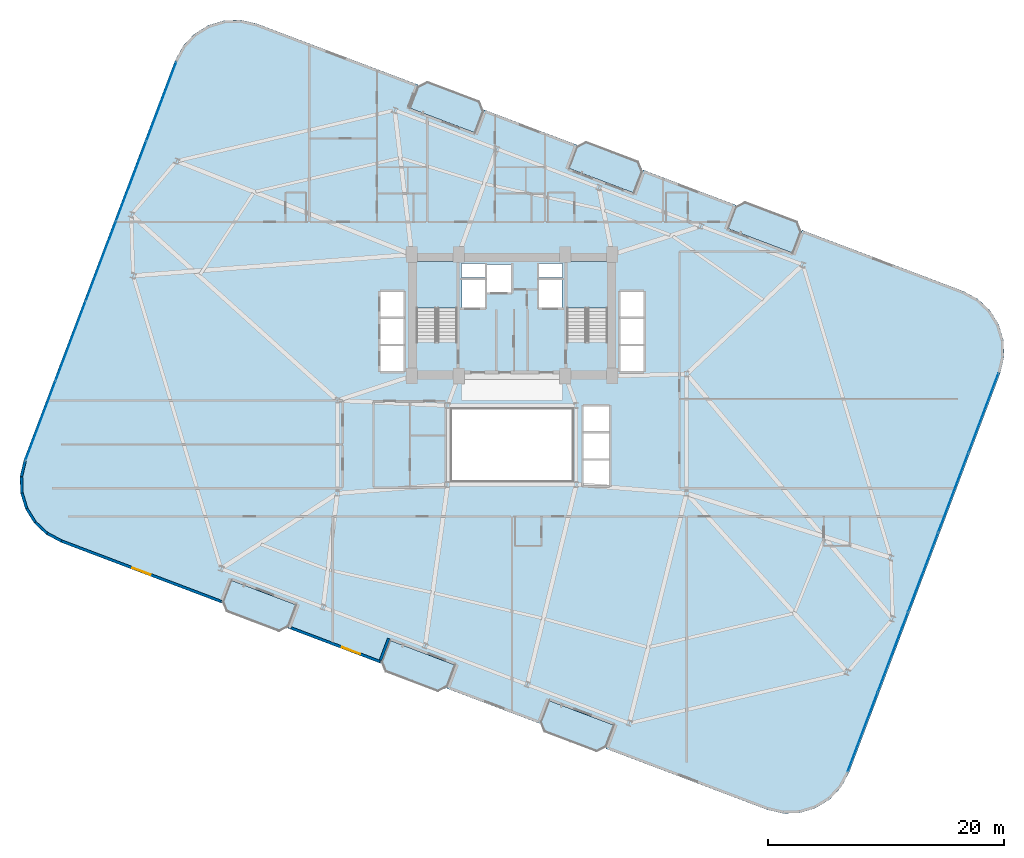
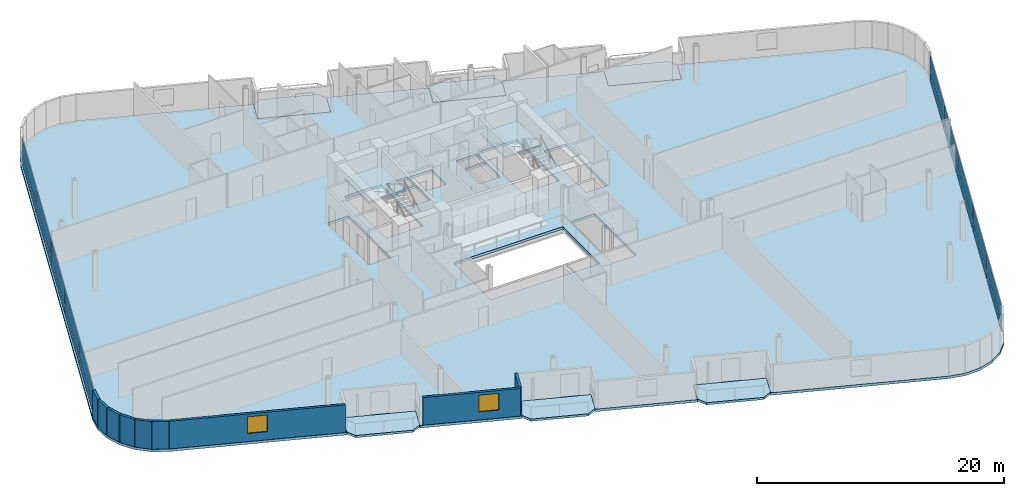
# One storey, part 16 of 24: 20 plates, 9 slabs, 9 walls, 2 windows, 2 openings, 4 elements without a shape of their own.
"""IFC4 building model written with IfcOpenShell, lengths in metres."""

from ifc_helpers import new_model, si_unit, direction, frame, frame_2d, origin, origin_2d, place, context, subcontext, project, spatial, polyline, rectangle, outline, extrude, source, transform, mapped, material, layer, layer_set, type_object, element, fill, aggregate, save


model = new_model("IFC4")

# Units and contexts
model_context = context("Model", 3, precision=1e-05, world=origin(), true_north=direction((0.0, 1.0)))
body_context = subcontext(model_context, "Body", "Model", "MODEL_VIEW")
ifc_project = project(units=[si_unit("LENGTHUNIT", "METRE"), si_unit("AREAUNIT", "SQUARE_METRE"), si_unit("VOLUMEUNIT", "CUBIC_METRE"), si_unit("PLANEANGLEUNIT", "RADIAN"), si_unit("MASSUNIT", "GRAM", prefix="KILO")], contexts=[model_context])

# Site, building, storey
site_placement = place(None, origin())
site = spatial("IfcSite", under=ifc_project, at=site_placement, CompositionType="ELEMENT")
building_placement = place(site_placement, origin())
building = spatial("IfcBuilding", under=site, at=building_placement, Name="Varnelok Gate Tower", CompositionType="ELEMENT")
storey_placement = place(building_placement, frame((0.0, 0.0, 102.10009765625)))
storey = spatial("IfcBuildingStorey", under=building, at=storey_placement, Name="L25", CompositionType="ELEMENT", Elevation=102.10009765625)

# Slabs
ifc_material_1 = material(Name="Concrete C45/55", Category="concrete")
ifc_layer_1 = layer(ifc_material_1, 0.219970703125)
ifc_layer_set_1 = layer_set([ifc_layer_1], Name="Concrete C45/55")
slab_type_1 = type_object("IfcSlabType", Name="SLB-BALC-220", PredefinedType="FLOOR", material=ifc_layer_set_1)
slab_1_placement = place(storey_placement, frame((0.0, 0.0, -0.22021484375)))
element("IfcSlab", 1, at=slab_1_placement, inside=storey, type_object=slab_type_1, Name="L25 South Hollow Balcony 1", PredefinedType="FLOOR", context=body_context, shape_type="SweptSolid", body=[
    extrude(outline(polyline([(14.64208984375, 9.576416015625), (15.019775390625, 8.738525390625), (19.415283203125, 7.074462890625), (20.25341796875, 7.4521484375), (20.96142578125, 9.322509765625), (15.35009765625, 11.447021484375), (14.64208984375, 9.576416015625)])), origin(), (0.0, 0.0, 1.0), 0.22021484375),
])
slab_2_placement = place(storey_placement, frame((0.0, 0.0, -0.22021484375)))
element("IfcSlab", 2, at=slab_2_placement, inside=storey, type_object=slab_type_1, Name="L25 South Hollow Balcony 2", PredefinedType="FLOOR", context=body_context, shape_type="SweptSolid", body=[
    extrude(outline(polyline([(28.109375, 4.47802734375), (28.487060546875, 3.639892578125), (32.882568359375, 1.975830078125), (33.720703125, 2.353515625), (34.4287109375, 4.22412109375), (28.8173828125, 6.348388671875), (28.109375, 4.47802734375)])), origin(), (0.0, 0.0, 1.0), 0.22021484375),
])
slab_3_placement = place(storey_placement, frame((0.0, 0.0, -0.22021484375)))
element("IfcSlab", 3, at=slab_3_placement, inside=storey, type_object=slab_type_1, Name="L25 South Hollow Balcony 3", PredefinedType="FLOOR", context=body_context, shape_type="SweptSolid", body=[
    extrude(outline(polyline([(41.576416015625, -0.62060546875), (41.9541015625, -1.45849609375), (46.349853515625, -3.12255859375), (47.187744140625, -2.744873046875), (47.89599609375, -0.87451171875), (42.28466796875, 1.25), (41.576416015625, -0.62060546875)])), origin(), (0.0, 0.0, 1.0), 0.22021484375),
])
slab_4_placement = place(storey_placement, frame((0.0, 0.0, -0.22021484375)))
element("IfcSlab", 4, at=slab_4_placement, inside=storey, type_object=slab_type_1, Name="L25 North Hollow Balcony 1", PredefinedType="FLOOR", context=body_context, shape_type="SweptSolid", body=[
    extrude(outline(polyline([(30.504150390625, 51.474365234375), (36.115478515625, 49.35009765625), (36.823486328125, 51.220458984375), (36.44580078125, 52.05859375), (32.05029296875, 53.72265625), (31.212158203125, 53.344970703125), (30.504150390625, 51.474365234375)])), origin(), (0.0, 0.0, 1.0), 0.22021484375),
])
slab_5_placement = place(storey_placement, frame((0.0, 0.0, -0.22021484375)))
element("IfcSlab", 5, at=slab_5_placement, inside=storey, type_object=slab_type_1, Name="L25 North Hollow Balcony 2", PredefinedType="FLOOR", context=body_context, shape_type="SweptSolid", body=[
    extrude(outline(polyline([(43.97119140625, 46.3759765625), (49.58251953125, 44.251708984375), (50.290771484375, 46.1220703125), (49.9130859375, 46.9599609375), (45.517333984375, 48.6240234375), (44.679443359375, 48.246337890625), (43.97119140625, 46.3759765625)])), origin(), (0.0, 0.0, 1.0), 0.22021484375),
])
slab_6_placement = place(storey_placement, frame((0.0, 0.0, -0.22021484375)))
element("IfcSlab", 6, at=slab_6_placement, inside=storey, type_object=slab_type_1, Name="L25 North Hollow Balcony 3", PredefinedType="FLOOR", context=body_context, shape_type="SweptSolid", body=[
    extrude(outline(polyline([(57.4384765625, 41.27734375), (63.0498046875, 39.153076171875), (63.7578125, 41.0234375), (63.380126953125, 41.861572265625), (58.984619140625, 43.525634765625), (58.146484375, 43.14794921875), (57.4384765625, 41.27734375)])), origin(), (0.0, 0.0, 1.0), 0.22021484375),
])

# Stair, slab
ifc_material_2 = material(Name="Concrete C50/60", Category="concrete")
stair_type = type_object("IfcStairType", Name="STR-CORE-1650", PredefinedType="HALF_TURN_STAIR", material=ifc_material_2)
stair_1_placement = place(storey_placement, origin())
stair_1 = element("IfcStair", 7, at=stair_1_placement, inside=storey, type_object=stair_type, Name="L25 Exit Stair ST-1", PredefinedType="HALF_TURN_STAIR")
ifc_layer_2 = layer(ifc_material_1, 0.199951171875)
ifc_layer_set_2 = layer_set([ifc_layer_2], Name="Concrete C45/55")
slab_type_2 = type_object("IfcSlabType", Name="SLB-LAND-200", PredefinedType="LANDING", material=ifc_layer_set_2)
slab_7_placement = place(storey_placement, frame((0.0, 0.0, 1.64990234375)))
slab_7 = element("IfcSlab", 8, at=slab_7_placement, type_object=slab_type_2, Name="ST-1 landing 1", PredefinedType="LANDING", context=body_context, shape_type="SweptSolid", body=[
    extrude(outline(polyline([(34.550048828125, 34.5), (34.550048828125, 38.449951171875), (31.10009765625, 38.449951171875), (31.10009765625, 34.5), (34.550048828125, 34.5)])), origin(), (0.0, 0.0, 1.0), 0.199951171875),
])
aggregate(stair_1, [slab_7])

stair_2_placement = place(storey_placement, origin())
stair_2 = element("IfcStair", 9, at=stair_2_placement, inside=storey, type_object=stair_type, Name="L25 Exit Stair ST-2", PredefinedType="HALF_TURN_STAIR")
slab_8_placement = place(storey_placement, frame((0.0, 0.0, 1.64990234375)))
slab_8 = element("IfcSlab", 10, at=slab_8_placement, type_object=slab_type_2, Name="ST-2 landing 1", PredefinedType="LANDING", context=body_context, shape_type="SweptSolid", body=[
    extrude(outline(polyline([(47.300048828125, 34.5), (47.300048828125, 38.449951171875), (43.85009765625, 38.449951171875), (43.85009765625, 34.5), (47.300048828125, 34.5)])), origin(), (0.0, 0.0, 1.0), 0.199951171875),
])
aggregate(stair_2, [slab_8])

# Slab
ifc_layer_3 = layer(ifc_material_2, 0.25)
ifc_layer_set_3 = layer_set([ifc_layer_3], Name="Concrete C50/60")
slab_type_3 = type_object("IfcSlabType", Name="SLB-TYP-250", PredefinedType="FLOOR", material=ifc_layer_set_3)
slab_9_placement = place(storey_placement, frame((0.0, 0.0, -0.25)))
element("IfcSlab", 11, at=slab_9_placement, inside=storey, type_object=slab_type_3, Name="L25 Structural Floor Slab", PredefinedType="FLOOR", context=body_context, shape_type="SweptSolid", body=[
    extrude(outline(polyline([(-2.185791015625, 21.614501953125), (-2.508544921875, 20.2421875), (-2.465087890625, 18.833251953125), (-2.05859375, 17.4833984375), (-1.31640625, 16.284912109375), (-0.28955078125, 15.319091796875), (0.952392578125, 14.65234375), (12.05029296875, 10.45068359375), (14.606689453125, 9.48291015625), (15.35009765625, 11.447021484375), (20.96142578125, 9.322509765625), (20.218017578125, 7.358642578125), (28.073974609375, 4.384521484375), (28.8173828125, 6.348388671875), (34.4287109375, 4.22412109375), (33.685302734375, 2.260009765625), (41.541015625, -0.714111328125), (42.28466796875, 1.25), (47.89599609375, -0.87451171875), (47.15234375, -2.83837890625), (49.708740234375, -3.80615234375), (60.806640625, -8.0078125), (62.1787109375, -8.33056640625), (63.587890625, -8.287109375), (64.937744140625, -7.880615234375), (66.13623046875, -7.138427734375), (67.101806640625, -6.111328125), (67.768798828125, -4.869384765625), (80.585693359375, 28.985595703125), (80.90869140625, 30.35791015625), (80.865234375, 31.766845703125), (80.45849609375, 33.11669921875), (79.716552734375, 34.315185546875), (78.689453125, 35.28076171875), (77.447509765625, 35.94775390625), (66.349609375, 40.1494140625), (63.793212890625, 41.116943359375), (63.0498046875, 39.153076171875), (57.4384765625, 41.27734375), (58.181884765625, 43.241455078125), (50.326171875, 46.215576171875), (49.58251953125, 44.251708984375), (43.97119140625, 46.3759765625), (44.71484375, 48.33984375), (36.85888671875, 51.31396484375), (36.115478515625, 49.35009765625), (30.504150390625, 51.474365234375), (31.24755859375, 53.4384765625), (28.69140625, 54.40625), (17.593505859375, 58.607666015625), (16.22119140625, 58.930419921875), (14.81201171875, 58.886962890625), (13.46240234375, 58.48046875), (12.263916015625, 57.73828125), (11.298095703125, 56.71142578125), (10.631103515625, 55.469482421875), (-2.185791015625, 21.614501953125)]), holes=[polyline([(34.550048828125, 31.679931640625), (34.550048828125, 38.449951171875), (31.10009765625, 38.449951171875), (31.10009765625, 31.679931640625), (34.550048828125, 31.679931640625)]), polyline([(47.300048828125, 31.679931640625), (47.300048828125, 38.449951171875), (43.85009765625, 38.449951171875), (43.85009765625, 31.679931640625), (47.300048828125, 31.679931640625)]), polyline([(34.949951171875, 34.550048828125), (36.89990234375, 34.550048828125), (36.89990234375, 36.89990234375), (34.949951171875, 36.89990234375), (34.949951171875, 34.550048828125)]), polyline([(41.5, 34.550048828125), (43.449951171875, 34.550048828125), (43.449951171875, 36.89990234375), (41.5, 36.89990234375), (41.5, 34.550048828125)]), polyline([(37.050048828125, 35.85009765625), (39.14990234375, 35.85009765625), (39.14990234375, 38.199951171875), (37.050048828125, 38.199951171875), (37.050048828125, 35.85009765625)]), polyline([(28.050048828125, 29.14990234375), (30.050048828125, 29.14990234375), (30.050048828125, 35.89990234375), (28.050048828125, 35.89990234375), (28.050048828125, 29.14990234375)]), polyline([(48.35009765625, 29.14990234375), (50.35009765625, 29.14990234375), (50.35009765625, 35.89990234375), (48.35009765625, 35.89990234375), (48.35009765625, 29.14990234375)]), polyline([(45.25, 19.449951171875), (47.449951171875, 19.449951171875), (47.449951171875, 26.199951171875), (45.25, 26.199951171875), (45.25, 19.449951171875)]), polyline([(34.919921875, 37.080078125), (36.89990234375, 37.080078125), (36.89990234375, 38.280029296875), (34.919921875, 38.280029296875), (34.919921875, 37.080078125)]), polyline([(41.5, 37.080078125), (43.47998046875, 37.080078125), (43.47998046875, 38.280029296875), (41.5, 38.280029296875), (41.5, 37.080078125)]), polyline([(34.10009765625, 19.89990234375), (44.300048828125, 19.89990234375), (44.300048828125, 25.89990234375), (34.10009765625, 25.89990234375), (34.10009765625, 19.89990234375)])]), origin(), (0.0, 0.0, 1.0), 0.25),
])

# Curtain wall, plates
ifc_material_3 = material(Name="Anodized Aluminum Alloy 6063-T6", Category="aluminium")
ifc_layer_4 = layer(ifc_material_3, 0.179931640625)
ifc_layer_set_4 = layer_set([ifc_layer_4], Name="Anodized Aluminum Alloy 6063-T6")
curtain_wall_type = type_object("IfcCurtainWallType", Name="CW3-HOTEL-VISION", PredefinedType="USERDEFINED", material=ifc_layer_set_4)
curtain_wall_1_placement = place(storey_placement, origin())
curtain_wall_1 = element("IfcCurtainWall", 12, at=curtain_wall_1_placement, inside=storey, type_object=curtain_wall_type, Name="L25 West End Vision Curtain Wall", ObjectType="UNITISED CURTAIN WALL", PredefinedType="USERDEFINED")
ifc_material_4 = material(Name="Low-E Laminated Double Glazing IGU", Category="glass")
ifc_layer_5 = layer(ifc_material_4, 0.031982421875)
ifc_layer_set_5 = layer_set([ifc_layer_5], Name="Low-E Laminated Double Glazing IGU")
plate_type = type_object("IfcPlateType", Name="CW-PNL-IGU32", PredefinedType="CURTAIN_PANEL", material=ifc_layer_set_5)
shared_shape_1 = source(origin(), body_context, "Body", "SweptSolid", [
    extrude(rectangle(XDim=7.142578125, YDim=0.031982421875, at=origin_2d()), origin(), (0.0, 0.0, 1.0), 0.802490234375),
])
plate_1_placement = place(storey_placement, frame((-0.767333984375, 24.965576171875, 0.06494140625), z_axis=(0.0, 0.0, 1.0), x_axis=(0.354063660545, 0.935221323688, 0.0)))
plate_1 = element("IfcPlate", 13, at=plate_1_placement, type_object=plate_type, Name="CW3 panel 1.1", PredefinedType="CURTAIN_PANEL", context=body_context, shape_type="MappedRepresentation", body=[
    mapped(shared_shape_1, transform((0.0, 0.0, 0.0), scale=1.0)),
])
plate_2_placement = place(storey_placement, frame((9.474853515625, 52.019287109375, 0.06494140625), z_axis=(0.0, 0.0, 1.0), x_axis=(0.354063660545, 0.935221323688, 0.0)))
plate_2 = element("IfcPlate", 14, at=plate_2_placement, type_object=plate_type, Name="CW3 panel 5.1", PredefinedType="CURTAIN_PANEL", context=body_context, shape_type="MappedRepresentation", body=[
    mapped(shared_shape_1, transform((0.0, 0.0, 0.0), scale=1.0)),
])

curtain_wall_2_placement = place(storey_placement, origin())
curtain_wall_2 = element("IfcCurtainWall", 15, at=curtain_wall_2_placement, inside=storey, type_object=curtain_wall_type, Name="L25 East End Vision Curtain Wall", ObjectType="UNITISED CURTAIN WALL", PredefinedType="USERDEFINED")
plate_3_placement = place(storey_placement, frame((79.16748046875, 25.634521484375, 0.06494140625), z_axis=(0.0, 0.0, 1.0), x_axis=(-0.354063660545, -0.935221323688, 0.0)))
plate_3 = element("IfcPlate", 16, at=plate_3_placement, type_object=plate_type, Name="CW3 panel 1.1", PredefinedType="CURTAIN_PANEL", context=body_context, shape_type="MappedRepresentation", body=[
    mapped(shared_shape_1, transform((0.0, 0.0, 0.0), scale=1.0)),
])
plate_4_placement = place(storey_placement, frame((68.92529296875, -1.419189453125, 0.06494140625), z_axis=(0.0, 0.0, 1.0), x_axis=(-0.354063660545, -0.935221323688, 0.0)))
plate_4 = element("IfcPlate", 17, at=plate_4_placement, type_object=plate_type, Name="CW3 panel 5.1", PredefinedType="CURTAIN_PANEL", context=body_context, shape_type="MappedRepresentation", body=[
    mapped(shared_shape_1, transform((0.0, 0.0, 0.0), scale=1.0)),
])

# Plate
shared_shape_2 = source(origin(), body_context, "Body", "SweptSolid", [
    extrude(rectangle(XDim=7.142578125, YDim=0.031982421875, at=origin_2d()), origin(), (0.0, 0.0, 1.0), 1.732421875),
])
plate_5_placement = place(storey_placement, frame((-0.767333984375, 24.965576171875, 0.932373046875), z_axis=(0.0, 0.0, 1.0), x_axis=(0.354063660545, 0.935221323688, 0.0)))
plate_5 = element("IfcPlate", 18, at=plate_5_placement, type_object=plate_type, Name="CW3 panel 1.2", PredefinedType="CURTAIN_PANEL", context=body_context, shape_type="MappedRepresentation", body=[
    mapped(shared_shape_2, transform((0.0, 0.0, 0.0), scale=1.0)),
])

plate_6_placement = place(storey_placement, frame((9.474853515625, 52.019287109375, 0.932373046875), z_axis=(0.0, 0.0, 1.0), x_axis=(0.354063660545, 0.935221323688, 0.0)))
plate_6 = element("IfcPlate", 19, at=plate_6_placement, type_object=plate_type, Name="CW3 panel 5.2", PredefinedType="CURTAIN_PANEL", context=body_context, shape_type="MappedRepresentation", body=[
    mapped(shared_shape_2, transform((0.0, 0.0, 0.0), scale=1.0)),
])

plate_7_placement = place(storey_placement, frame((79.16748046875, 25.634521484375, 0.932373046875), z_axis=(0.0, 0.0, 1.0), x_axis=(-0.354063660545, -0.935221323688, 0.0)))
plate_7 = element("IfcPlate", 20, at=plate_7_placement, type_object=plate_type, Name="CW3 panel 1.2", PredefinedType="CURTAIN_PANEL", context=body_context, shape_type="MappedRepresentation", body=[
    mapped(shared_shape_2, transform((0.0, 0.0, 0.0), scale=1.0)),
])

plate_8_placement = place(storey_placement, frame((68.92529296875, -1.419189453125, 0.932373046875), z_axis=(0.0, 0.0, 1.0), x_axis=(-0.354063660545, -0.935221323688, 0.0)))
plate_8 = element("IfcPlate", 21, at=plate_8_placement, type_object=plate_type, Name="CW3 panel 5.2", PredefinedType="CURTAIN_PANEL", context=body_context, shape_type="MappedRepresentation", body=[
    mapped(shared_shape_2, transform((0.0, 0.0, 0.0), scale=1.0)),
])

shared_shape_3 = source(origin(), body_context, "Body", "SweptSolid", [
    extrude(rectangle(XDim=7.175048828125, YDim=0.031982421875, at=origin_2d()), origin(), (0.0, 0.0, 1.0), 0.802490234375),
])
plate_9_placement = place(storey_placement, frame((1.790283203125, 31.721435546875, 0.06494140625), z_axis=(0.0, 0.0, 1.0), x_axis=(0.354063660545, 0.935221323688, 0.0)))
plate_9 = element("IfcPlate", 22, at=plate_9_placement, type_object=plate_type, Name="CW3 panel 2.1", PredefinedType="CURTAIN_PANEL", context=body_context, shape_type="MappedRepresentation", body=[
    mapped(shared_shape_3, transform((0.0, 0.0, 0.0), scale=1.0)),
])

plate_10_placement = place(storey_placement, frame((4.353759765625, 38.492431640625, 0.06494140625), z_axis=(0.0, 0.0, 1.0), x_axis=(0.354063660545, 0.935221323688, 0.0)))
plate_10 = element("IfcPlate", 23, at=plate_10_placement, type_object=plate_type, Name="CW3 panel 3.1", PredefinedType="CURTAIN_PANEL", context=body_context, shape_type="MappedRepresentation", body=[
    mapped(shared_shape_3, transform((0.0, 0.0, 0.0), scale=1.0)),
])

plate_11_placement = place(storey_placement, frame((6.9169921875, 45.263427734375, 0.06494140625), z_axis=(0.0, 0.0, 1.0), x_axis=(0.354063660545, 0.935221323688, 0.0)))
plate_11 = element("IfcPlate", 24, at=plate_11_placement, type_object=plate_type, Name="CW3 panel 4.1", PredefinedType="CURTAIN_PANEL", context=body_context, shape_type="MappedRepresentation", body=[
    mapped(shared_shape_3, transform((0.0, 0.0, 0.0), scale=1.0)),
])

plate_12_placement = place(storey_placement, frame((76.60986328125, 18.878662109375, 0.06494140625), z_axis=(0.0, 0.0, 1.0), x_axis=(-0.354063660545, -0.935221323688, 0.0)))
plate_12 = element("IfcPlate", 25, at=plate_12_placement, type_object=plate_type, Name="CW3 panel 2.1", PredefinedType="CURTAIN_PANEL", context=body_context, shape_type="MappedRepresentation", body=[
    mapped(shared_shape_3, transform((0.0, 0.0, 0.0), scale=1.0)),
])

plate_13_placement = place(storey_placement, frame((74.04638671875, 12.107666015625, 0.06494140625), z_axis=(0.0, 0.0, 1.0), x_axis=(-0.354063660545, -0.935221323688, 0.0)))
plate_13 = element("IfcPlate", 26, at=plate_13_placement, type_object=plate_type, Name="CW3 panel 3.1", PredefinedType="CURTAIN_PANEL", context=body_context, shape_type="MappedRepresentation", body=[
    mapped(shared_shape_3, transform((0.0, 0.0, 0.0), scale=1.0)),
])

plate_14_placement = place(storey_placement, frame((71.48291015625, 5.336669921875, 0.06494140625), z_axis=(0.0, 0.0, 1.0), x_axis=(-0.354063660545, -0.935221323688, 0.0)))
plate_14 = element("IfcPlate", 27, at=plate_14_placement, type_object=plate_type, Name="CW3 panel 4.1", PredefinedType="CURTAIN_PANEL", context=body_context, shape_type="MappedRepresentation", body=[
    mapped(shared_shape_3, transform((0.0, 0.0, 0.0), scale=1.0)),
])

shared_shape_4 = source(origin(), body_context, "Body", "SweptSolid", [
    extrude(rectangle(XDim=7.175048828125, YDim=0.031982421875, at=origin_2d()), origin(), (0.0, 0.0, 1.0), 1.732421875),
])
plate_15_placement = place(storey_placement, frame((1.790283203125, 31.721435546875, 0.932373046875), z_axis=(0.0, 0.0, 1.0), x_axis=(0.354063660545, 0.935221323688, 0.0)))
plate_15 = element("IfcPlate", 28, at=plate_15_placement, type_object=plate_type, Name="CW3 panel 2.2", PredefinedType="CURTAIN_PANEL", context=body_context, shape_type="MappedRepresentation", body=[
    mapped(shared_shape_4, transform((0.0, 0.0, 0.0), scale=1.0)),
])

plate_16_placement = place(storey_placement, frame((4.353759765625, 38.492431640625, 0.932373046875), z_axis=(0.0, 0.0, 1.0), x_axis=(0.354063660545, 0.935221323688, 0.0)))
plate_16 = element("IfcPlate", 29, at=plate_16_placement, type_object=plate_type, Name="CW3 panel 3.2", PredefinedType="CURTAIN_PANEL", context=body_context, shape_type="MappedRepresentation", body=[
    mapped(shared_shape_4, transform((0.0, 0.0, 0.0), scale=1.0)),
])

plate_17_placement = place(storey_placement, frame((6.9169921875, 45.263427734375, 0.932373046875), z_axis=(0.0, 0.0, 1.0), x_axis=(0.354063660545, 0.935221323688, 0.0)))
plate_17 = element("IfcPlate", 30, at=plate_17_placement, type_object=plate_type, Name="CW3 panel 4.2", PredefinedType="CURTAIN_PANEL", context=body_context, shape_type="MappedRepresentation", body=[
    mapped(shared_shape_4, transform((0.0, 0.0, 0.0), scale=1.0)),
])

aggregate(curtain_wall_1, [plate_1, plate_5, plate_9, plate_15, plate_10, plate_16, plate_11, plate_17, plate_2, plate_6])

plate_18_placement = place(storey_placement, frame((76.60986328125, 18.878662109375, 0.932373046875), z_axis=(0.0, 0.0, 1.0), x_axis=(-0.354063660545, -0.935221323688, 0.0)))
plate_18 = element("IfcPlate", 31, at=plate_18_placement, type_object=plate_type, Name="CW3 panel 2.2", PredefinedType="CURTAIN_PANEL", context=body_context, shape_type="MappedRepresentation", body=[
    mapped(shared_shape_4, transform((0.0, 0.0, 0.0), scale=1.0)),
])

plate_19_placement = place(storey_placement, frame((74.04638671875, 12.107666015625, 0.932373046875), z_axis=(0.0, 0.0, 1.0), x_axis=(-0.354063660545, -0.935221323688, 0.0)))
plate_19 = element("IfcPlate", 32, at=plate_19_placement, type_object=plate_type, Name="CW3 panel 3.2", PredefinedType="CURTAIN_PANEL", context=body_context, shape_type="MappedRepresentation", body=[
    mapped(shared_shape_4, transform((0.0, 0.0, 0.0), scale=1.0)),
])

plate_20_placement = place(storey_placement, frame((71.48291015625, 5.336669921875, 0.932373046875), z_axis=(0.0, 0.0, 1.0), x_axis=(-0.354063660545, -0.935221323688, 0.0)))
plate_20 = element("IfcPlate", 33, at=plate_20_placement, type_object=plate_type, Name="CW3 panel 4.2", PredefinedType="CURTAIN_PANEL", context=body_context, shape_type="MappedRepresentation", body=[
    mapped(shared_shape_4, transform((0.0, 0.0, 0.0), scale=1.0)),
])

aggregate(curtain_wall_2, [plate_3, plate_7, plate_12, plate_18, plate_13, plate_19, plate_14, plate_20, plate_4, plate_8])

# Walls
ifc_layer_6 = layer(ifc_material_1, 0.219970703125)
ifc_layer_set_6 = layer_set([ifc_layer_6], Name="Concrete C45/55")
wall_type = type_object("IfcWallType", Name="EW-BALC-220", PredefinedType="SOLIDWALL", material=ifc_layer_set_6)
wall_1_placement = place(storey_placement, frame((-2.072509765625, 21.571533203125, 0.0), z_axis=(0.0, 0.0, 1.0), x_axis=(-0.229049207401, -0.973414845063, 0.0)))
element("IfcWall", 34, at=wall_1_placement, inside=storey, type_object=wall_type, Name="L25 Perimeter Facade Closure Wall 1", PredefinedType="SOLIDWALL", context=body_context, shape_type="SweptSolid", body=[
    extrude(rectangle(XDim=1.378173828125, YDim=0.219970703125, at=frame_2d((0.68896484375, 0.0))), origin(), (0.0, 0.0, 1.0), 2.72998046875),
])
wall_2_placement = place(storey_placement, frame((-2.387451171875, 20.205078125, 0.0), z_axis=(0.0, 0.0, 1.0), x_axis=(0.030857297317, -0.999523800218, 0.0)))
element("IfcWall", 35, at=wall_2_placement, inside=storey, type_object=wall_type, Name="L25 Perimeter Facade Closure Wall 2", PredefinedType="SOLIDWALL", context=body_context, shape_type="SweptSolid", body=[
    extrude(rectangle(XDim=1.35302734375, YDim=0.219970703125, at=frame_2d((0.676513671875, 0.0))), origin(), (0.0, 0.0, 1.0), 2.72998046875),
])
wall_3_placement = place(storey_placement, frame((-2.33837890625, 18.82861328125, 0.0), z_axis=(0.0, 0.0, 1.0), x_axis=(0.288374187109, -0.957517795244, 0.0)))
element("IfcWall", 36, at=wall_3_placement, inside=storey, type_object=wall_type, Name="L25 Perimeter Facade Closure Wall 3", PredefinedType="SOLIDWALL", context=body_context, shape_type="SweptSolid", body=[
    extrude(rectangle(XDim=1.352783203125, YDim=0.219970703125, at=frame_2d((0.67626953125, 0.0))), origin(), (0.0, 0.0, 1.0), 2.72998046875),
])
wall_4_placement = place(storey_placement, frame((-1.93505859375, 17.511962890625, 0.0), z_axis=(0.0, 0.0, 1.0), x_axis=(0.526360826676, -0.850261301096, 0.0)))
element("IfcWall", 37, at=wall_4_placement, inside=storey, type_object=wall_type, Name="L25 Perimeter Facade Closure Wall 4", PredefinedType="SOLIDWALL", context=body_context, shape_type="SweptSolid", body=[
    extrude(rectangle(XDim=1.35302734375, YDim=0.219970703125, at=frame_2d((0.676513671875, 0.0))), origin(), (0.0, 0.0, 1.0), 2.72998046875),
])
wall_5_placement = place(storey_placement, frame((-1.20458984375, 16.344482421875, 0.0), z_axis=(0.0, 0.0, 1.0), x_axis=(0.7285124142, -0.685032599484, 0.0)))
element("IfcWall", 38, at=wall_5_placement, inside=storey, type_object=wall_type, Name="L25 Perimeter Facade Closure Wall 5", PredefinedType="SOLIDWALL", context=body_context, shape_type="SweptSolid", body=[
    extrude(rectangle(XDim=1.353271484375, YDim=0.219970703125, at=frame_2d((0.6767578125, 0.0))), origin(), (0.0, 0.0, 1.0), 2.72998046875),
])
wall_6_placement = place(storey_placement, frame((-0.19677734375, 15.405517578125, 0.0), z_axis=(0.0, 0.0, 1.0), x_axis=(0.881023507585, -0.47307248819, 0.0)))
element("IfcWall", 39, at=wall_6_placement, inside=storey, type_object=wall_type, Name="L25 Perimeter Facade Closure Wall 6", PredefinedType="SOLIDWALL", context=body_context, shape_type="SweptSolid", body=[
    extrude(rectangle(XDim=1.36083984375, YDim=0.219970703125, at=frame_2d((0.680419921875, 0.0))), origin(), (0.0, 0.0, 1.0), 2.72998046875),
])

# Wall, opening, window
wall_7_placement = place(storey_placement, frame((1.025634765625, 14.7529296875, 0.0), z_axis=(0.0, 0.0, 1.0), x_axis=(0.935222448475, -0.354060689526, 0.0)))
wall_7 = element("IfcWall", 40, at=wall_7_placement, inside=storey, type_object=wall_type, Name="L25 Perimeter Facade Closure Wall 7", PredefinedType="SOLIDWALL", context=body_context, shape_type="SweptSolid", body=[
    extrude(rectangle(XDim=14.447265625, YDim=0.219970703125, at=frame_2d((7.2236328125, 0.0))), origin(), (0.0, 0.0, 1.0), 2.72998046875),
])
opening_1_placement = place(wall_7_placement, frame((6.398681640625, 0.0, 0.800048828125)))
opening_1 = element("IfcOpeningElement", 41, at=opening_1_placement, cuts=wall_7, Name="Opening WN3", PredefinedType="OPENING", context=body_context, shape_type="SweptSolid", body=[
    extrude(rectangle(XDim=1.64990234375, YDim=1.64990234375, at=frame_2d((0.824951171875, 0.824951171875))), frame((0.0, 0.119873046875, 0.0), z_axis=(0.0, -1.0, 0.0), x_axis=(1.0, 0.0, 0.0)), (0.0, 0.0, 1.0), 0.239990234375),
])
window_type = type_object("IfcWindowType", Name="WN-HTL-1650", PartitioningType="SINGLE_PANEL", PredefinedType="WINDOW", material=ifc_material_4)
window_1_placement = place(opening_1_placement, origin())
window_1 = element("IfcWindow", 42, at=window_1_placement, inside=storey, type_object=window_type, Name="L25 Perimeter Vision Window 7", OverallHeight=1.64990234375, OverallWidth=1.64990234375, PartitioningType="SINGLE_PANEL", PredefinedType="WINDOW", context=body_context, shape_type="SweptSolid", body=[
    extrude(rectangle(XDim=1.64990234375, YDim=1.64990234375, at=frame_2d((0.824951171875, 0.824951171875))), frame((0.0, 0.030029296875, 0.0), z_axis=(0.0, -1.0, 0.0), x_axis=(1.0, 0.0, 0.0)), (0.0, 0.0, 1.0), 0.06005859375),
])
fill(opening_1, window_1)

wall_8_placement = place(storey_placement, frame((20.489501953125, 7.384033203125, 0.0), z_axis=(0.0, 0.0, 1.0), x_axis=(0.935230796934, -0.354038636968, 0.0)))
wall_8 = element("IfcWall", 43, at=wall_8_placement, inside=storey, type_object=wall_type, Name="L25 Perimeter Facade Closure Wall 10", PredefinedType="SOLIDWALL", context=body_context, shape_type="SweptSolid", body=[
    extrude(rectangle(XDim=8.03515625, YDim=0.219970703125, at=frame_2d((4.017578125, 0.0))), origin(), (0.0, 0.0, 1.0), 2.72998046875),
])
opening_2_placement = place(wall_8_placement, frame((4.59716796875, 0.0, 0.800048828125)))
opening_2 = element("IfcOpeningElement", 44, at=opening_2_placement, cuts=wall_8, Name="Opening WN3", PredefinedType="OPENING", context=body_context, shape_type="SweptSolid", body=[
    extrude(rectangle(XDim=1.64990234375, YDim=1.64990234375, at=frame_2d((0.824951171875, 0.824951171875))), frame((0.0, 0.119873046875, 0.0), z_axis=(0.0, -1.0, 0.0), x_axis=(1.0, 0.0, 0.0)), (0.0, 0.0, 1.0), 0.239990234375),
])
window_2_placement = place(opening_2_placement, origin())
window_2 = element("IfcWindow", 45, at=window_2_placement, inside=storey, type_object=window_type, Name="L25 Perimeter Vision Window 10", OverallHeight=1.64990234375, OverallWidth=1.64990234375, PartitioningType="SINGLE_PANEL", PredefinedType="WINDOW", context=body_context, shape_type="SweptSolid", body=[
    extrude(rectangle(XDim=1.64990234375, YDim=1.64990234375, at=frame_2d((0.824951171875, 0.824951171875))), frame((0.0, 0.030029296875, 0.0), z_axis=(0.0, -1.0, 0.0), x_axis=(1.0, 0.0, 0.0)), (0.0, 0.0, 1.0), 0.06005859375),
])
fill(opening_2, window_2)

# Wall
wall_9_placement = place(storey_placement, frame((28.04833984375, 4.656005859375, 0.0), z_axis=(0.0, 0.0, 1.0), x_axis=(0.354128791944, 0.935196663123, 0.0)))
element("IfcWall", 46, at=wall_9_placement, inside=storey, type_object=wall_type, Name="L25 Perimeter Facade Closure Wall 11", PredefinedType="SOLIDWALL", context=body_context, shape_type="SweptSolid", body=[
    extrude(rectangle(XDim=1.97509765625, YDim=0.219970703125, at=frame_2d((0.987548828125, 0.0))), origin(), (0.0, 0.0, 1.0), 2.72998046875),
])

save(model, "model.ifc")
